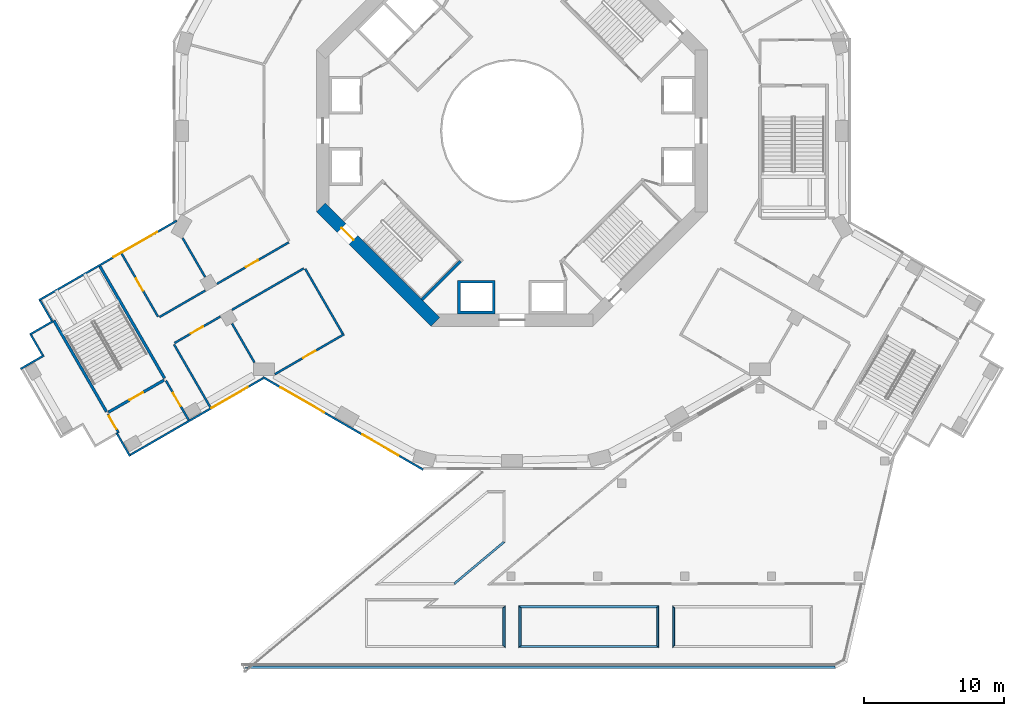
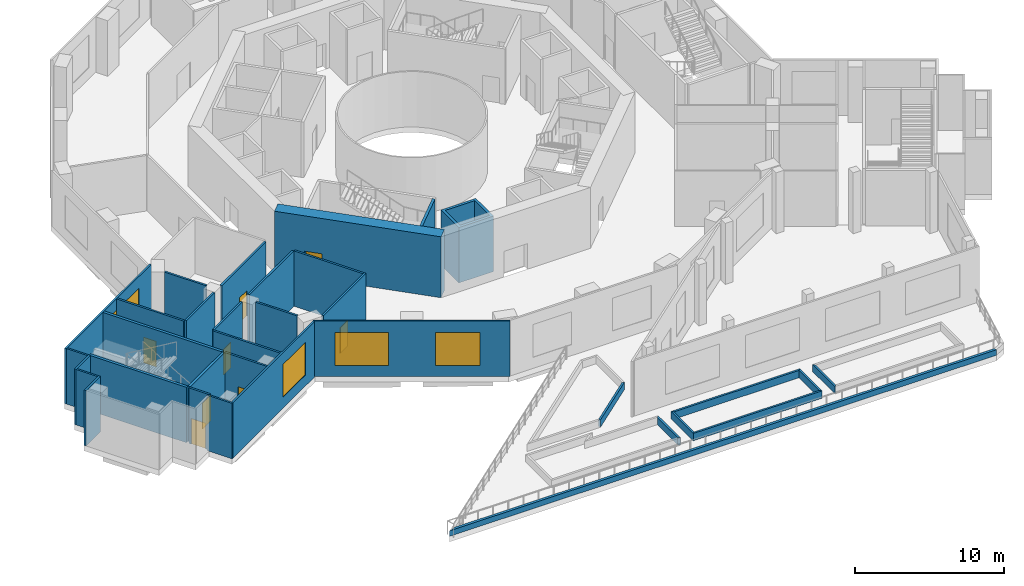
# One storey, part 3 of 24: 34 walls, 8 doors, 4 windows, 12 openings.
"""IFC4 building model written with IfcOpenShell, lengths in metres."""

from ifc_helpers import new_model, si_unit, direction, frame, frame_2d, origin, place, context, subcontext, project, spatial, polyline, rectangle, outline, extrude, material, layer, layer_set, type_object, element, fill, save


model = new_model("IFC4")

# Units and contexts
model_context = context("Model", 3, precision=1e-05, world=origin(), true_north=direction((0.0, 1.0)))
body_context = subcontext(model_context, "Body", "Model", "MODEL_VIEW")
ifc_project = project(units=[si_unit("LENGTHUNIT", "METRE"), si_unit("AREAUNIT", "SQUARE_METRE"), si_unit("VOLUMEUNIT", "CUBIC_METRE"), si_unit("PLANEANGLEUNIT", "RADIAN"), si_unit("MASSUNIT", "GRAM", prefix="KILO")], contexts=[model_context])

# Site, building, storey
site_placement = place(None, origin())
site = spatial("IfcSite", under=ifc_project, at=site_placement, CompositionType="ELEMENT")
building_placement = place(site_placement, origin())
building = spatial("IfcBuilding", under=site, at=building_placement, Name="Verdalira Terraces Hotel", CompositionType="ELEMENT")
storey_placement = place(building_placement, frame((0.0, 0.0, 14.0)))
storey = spatial("IfcBuildingStorey", under=building, at=storey_placement, Name="L02", CompositionType="ELEMENT", Elevation=14.0)

# Walls
ifc_material_1 = material(Name="Concrete C50", Category="concrete")
ifc_layer_1 = layer(ifc_material_1, 0.199951171875)
ifc_layer_set_1 = layer_set([ifc_layer_1], Name="Core RC wall 200 C50")
wall_type_1 = type_object("IfcWallType", Name="Core RC wall 200 C50", PredefinedType="SOLIDWALL", material=ifc_layer_set_1)
wall_1_placement = place(storey_placement, origin())
element("IfcWall", 1, at=wall_1_placement, inside=storey, type_object=wall_type_1, Name="L02 shaft wall S1", PredefinedType="SOLIDWALL", context=body_context, shape_type="SweptSolid", body=[
    extrude(outline(polyline([(-1.199951, -13.100098), (-3.899902, -13.100098), (-3.899902, -10.699951), (-1.199951, -10.699951), (-1.199951, -13.100098)]), holes=[polyline([(-3.699951, -10.899902), (-3.699951, -12.899902), (-1.399902, -12.899902), (-1.399902, -10.899902), (-3.699951, -10.899902)])]), origin(), (0.0, 0.0, 1.0), 4.550049),
])
wall_2_placement = place(storey_placement, frame((-3.677002, -9.33374, 0.0), z_axis=(0.0, 0.0, 1.0), x_axis=(-0.707106781, -0.707106781, 0.0)))
element("IfcWall", 2, at=wall_2_placement, inside=storey, type_object=wall_type_1, Name="L02 stair ST2 end wall 2", PredefinedType="SOLIDWALL", context=body_context, shape_type="SweptSolid", body=[
    extrude(rectangle(XDim=3.900146, YDim=0.199951, at=frame_2d((1.950195, 0.0))), origin(), (0.0, 0.0, 1.0), 4.550049),
])

# Wall, opening, door
ifc_material_2 = material(Name="Concrete C70", Category="concrete")
ifc_layer_2 = layer(ifc_material_2, 0.89990234375)
ifc_layer_set_2 = layer_set([ifc_layer_2], Name="Core wall 900 C70")
wall_type_2 = type_object("IfcWallType", Name="Core wall 900 C70", PredefinedType="SHEAR", material=ifc_layer_set_2)
wall_3_placement = place(storey_placement, frame((-13.681885, -5.480713, 0.0), z_axis=(0.0, 0.0, 1.0), x_axis=(0.707106781, -0.707106781, 0.0)))
wall_3 = element("IfcWall", 3, at=wall_3_placement, inside=storey, type_object=wall_type_2, Name="Core wall CW-L02-6", PredefinedType="SHEAR", context=body_context, shape_type="SweptSolid", body=[
    extrude(rectangle(XDim=11.598145, YDim=0.899902, at=frame_2d((5.799072, 0.0))), origin(), (0.0, 0.0, 1.0), 5.0),
])
opening_1_placement = place(wall_3_placement, frame((2.099121, 0.0, 0.0)))
opening_1 = element("IfcOpeningElement", 4, at=opening_1_placement, cuts=wall_3, Name="Opening L02-817", PredefinedType="OPENING", context=body_context, shape_type="SweptSolid", body=[
    extrude(rectangle(XDim=1.199951, YDim=2.100098, at=frame_2d((0.600098, 1.050049))), frame((0.0, 0.459961, 0.0), z_axis=(0.0, -1.0, 0.0), x_axis=(1.0, 0.0, 0.0)), (0.0, 0.0, 1.0), 0.919922),
])
ifc_material_3 = material(Name="Steel fire door", Category="steel")
door_type_1 = type_object("IfcDoorType", Name="Stair door 1200 x 2100", OperationType="NOTDEFINED", PredefinedType="DOOR", material=ifc_material_3)
door_1_placement = place(opening_1_placement, origin())
door_1 = element("IfcDoor", 5, at=door_1_placement, inside=storey, type_object=door_type_1, Name="Stair exit door ST2 L02", OperationType="SINGLE_SWING_LEFT", OverallHeight=2.10009765625, OverallWidth=1.199951171875, PredefinedType="DOOR", context=body_context, shape_type="SweptSolid", body=[
    extrude(rectangle(XDim=1.199951, YDim=2.100098, at=frame_2d((0.600098, 1.050049))), frame((0.0, 0.024902, 0.0), z_axis=(0.0, -1.0, 0.0), x_axis=(1.0, 0.0, 0.0)), (0.0, 0.0, 1.0), 0.050049),
])
fill(opening_1, door_1)

ifc_material_4 = material(Name="Gypsum board partition on steel stud", Category="steel")
ifc_layer_3 = layer(ifc_material_4, 0.14990234375)
ifc_layer_set_3 = layer_set([ifc_layer_3], Name="Fire-rated partition 150 mm")
wall_type_3 = type_object("IfcWallType", Name="Fire-rated partition 150 mm", PredefinedType="PARTITIONING", material=ifc_layer_set_3)
wall_4_placement = place(storey_placement, frame((-28.161621, -21.622803, 0.0), z_axis=(0.0, 0.0, 1.0), x_axis=(-0.499877454, 0.866096144, 0.0)))
wall_4 = element("IfcWall", 6, at=wall_4_placement, inside=storey, type_object=wall_type_3, Name="Partition", PredefinedType="PARTITIONING", context=body_context, shape_type="SweptSolid", body=[
    extrude(rectangle(XDim=1.54541, YDim=0.149902, at=frame_2d((0.772705, 0.0))), origin(), (0.0, 0.0, 1.0), 4.550049),
])
opening_2_placement = place(wall_4_placement, frame((0.29541, 0.0, 0.0)))
opening_2 = element("IfcOpeningElement", 7, at=opening_2_placement, cuts=wall_4, Name="Opening L02-D01", PredefinedType="OPENING", context=body_context, shape_type="SweptSolid", body=[
    extrude(rectangle(XDim=1.100098, YDim=2.100098, at=frame_2d((0.550049, 1.050049))), frame((0.0, 0.084961, 0.0), z_axis=(0.0, -1.0, 0.0), x_axis=(1.0, 0.0, 0.0)), (0.0, 0.0, 1.0), 0.169922),
])
ifc_material_5 = material(Name="Steel fire door", Category="steel")
door_type_2 = type_object("IfcDoorType", Name="Stair door 1100 x 2100", OperationType="SINGLE_SWING_LEFT", PredefinedType="DOOR", material=ifc_material_5)
door_2_placement = place(opening_2_placement, origin())
door_2 = element("IfcDoor", 8, at=door_2_placement, inside=storey, type_object=door_type_2, Name="Stair door Stair vestibule PS2", OperationType="SINGLE_SWING_LEFT", OverallHeight=2.10009765625, OverallWidth=1.10009765625, PredefinedType="DOOR", context=body_context, shape_type="SweptSolid", body=[
    extrude(rectangle(XDim=1.100098, YDim=2.100098, at=frame_2d((0.550049, 1.050049))), frame((0.0, 0.024902, 0.0), z_axis=(0.0, -1.0, 0.0), x_axis=(1.0, 0.0, 0.0)), (0.0, 0.0, 1.0), 0.050049),
])
fill(opening_2, door_2)

wall_5_placement = place(storey_placement, frame((-27.948242, -8.791992, 0.0), z_axis=(0.0, 0.0, 1.0), x_axis=(0.499979347, -0.866037328, 0.0)))
wall_5 = element("IfcWall", 9, at=wall_5_placement, inside=storey, type_object=wall_type_3, Name="Partition", PredefinedType="PARTITIONING", context=body_context, shape_type="SweptSolid", body=[
    extrude(rectangle(XDim=5.210205, YDim=0.149902, at=frame_2d((2.60498, 0.0))), origin(), (0.0, 0.0, 1.0), 4.550049),
])
opening_3_placement = place(wall_5_placement, frame((2.060059, 0.0, 0.0)))
opening_3 = element("IfcOpeningElement", 10, at=opening_3_placement, cuts=wall_5, Name="Opening L02-D03", PredefinedType="OPENING", context=body_context, shape_type="SweptSolid", body=[
    extrude(rectangle(XDim=1.0, YDim=2.100098, at=frame_2d((0.5, 1.050049))), frame((0.0, 0.084961, 0.0), z_axis=(0.0, -1.0, 0.0), x_axis=(1.0, 0.0, 0.0)), (0.0, 0.0, 1.0), 0.169922),
])
ifc_material_6 = material(Name="Steel fire door", Category="steel")
door_type_3 = type_object("IfcDoorType", Name="Fire door 1000 x 2100", OperationType="SINGLE_SWING_LEFT", PredefinedType="DOOR", material=ifc_material_6)
door_3_placement = place(opening_3_placement, origin())
door_3 = element("IfcDoor", 11, at=door_3_placement, inside=storey, type_object=door_type_3, Name="Meeting room 210 door", OperationType="SINGLE_SWING_LEFT", OverallHeight=2.10009765625, OverallWidth=1.0, PredefinedType="DOOR", context=body_context, shape_type="SweptSolid", body=[
    extrude(rectangle(XDim=1.0, YDim=2.100098, at=frame_2d((0.5, 1.050049))), frame((0.0, 0.024902, 0.0), z_axis=(0.0, -1.0, 0.0), x_axis=(1.0, 0.0, 0.0)), (0.0, 0.0, 1.0), 0.050049),
])
fill(opening_3, door_3)

# Wall
wall_6_placement = place(storey_placement, frame((-23.582275, -7.674561, 0.0), z_axis=(0.0, 0.0, 1.0), x_axis=(0.500027049, -0.866009787, 0.0)))
element("IfcWall", 12, at=wall_6_placement, inside=storey, type_object=wall_type_3, Name="Partition", PredefinedType="PARTITIONING", context=body_context, shape_type="SweptSolid", body=[
    extrude(rectangle(XDim=3.2146, YDim=0.149902, at=frame_2d((1.607422, 0.0))), origin(), (0.0, 0.0, 1.0), 4.550049),
])

# Wall, opening, door
wall_7_placement = place(storey_placement, frame((-20.886475, -13.300049, 0.0), z_axis=(0.0, 0.0, 1.0), x_axis=(-0.866012734, -0.500021944, 0.0)))
wall_7 = element("IfcWall", 13, at=wall_7_placement, inside=storey, type_object=wall_type_3, Name="Partition", PredefinedType="PARTITIONING", context=body_context, shape_type="SweptSolid", body=[
    extrude(rectangle(XDim=3.786865, YDim=0.149902, at=frame_2d((1.893555, 0.0))), origin(), (0.0, 0.0, 1.0), 4.550049),
])
opening_4_placement = place(wall_7_placement, frame((1.436768, 0.0, 0.0)))
opening_4 = element("IfcOpeningElement", 14, at=opening_4_placement, cuts=wall_7, Name="Opening L02-D04", PredefinedType="OPENING", context=body_context, shape_type="SweptSolid", body=[
    extrude(rectangle(XDim=1.0, YDim=2.100098, at=frame_2d((0.5, 1.050049))), frame((0.0, 0.084961, 0.0), z_axis=(0.0, -1.0, 0.0), x_axis=(1.0, 0.0, 0.0)), (0.0, 0.0, 1.0), 0.169922),
])
door_4_placement = place(opening_4_placement, origin())
door_4 = element("IfcDoor", 15, at=door_4_placement, inside=storey, type_object=door_type_3, Name="Meeting room 208 door", OperationType="SINGLE_SWING_RIGHT", OverallHeight=2.10009765625, OverallWidth=1.0, PredefinedType="DOOR", context=body_context, shape_type="SweptSolid", body=[
    extrude(rectangle(XDim=1.0, YDim=2.100098, at=frame_2d((0.5, 1.050049))), frame((0.0, 0.024902, 0.0), z_axis=(0.0, -1.0, 0.0), x_axis=(1.0, 0.0, 0.0)), (0.0, 0.0, 1.0), 0.050049),
])
fill(opening_4, door_4)

# Wall
wall_8_placement = place(storey_placement, frame((-20.055176, -12.820068, 0.0), z_axis=(0.0, 0.0, 1.0), x_axis=(0.866038559, 0.499977214, 0.0)))
element("IfcWall", 16, at=wall_8_placement, inside=storey, type_object=wall_type_3, Name="Partition", PredefinedType="PARTITIONING", context=body_context, shape_type="SweptSolid", body=[
    extrude(rectangle(XDim=5.945068, YDim=0.149902, at=frame_2d((2.972656, 0.0))), origin(), (0.0, 0.0, 1.0), 4.550049),
])

# Wall, opening, door
wall_9_placement = place(storey_placement, frame((-24.777344, -17.884521, 0.0), z_axis=(0.0, 0.0, 1.0), x_axis=(0.499996863, -0.866027215, 0.0)))
wall_9 = element("IfcWall", 17, at=wall_9_placement, inside=storey, type_object=wall_type_3, Name="Partition", PredefinedType="PARTITIONING", context=body_context, shape_type="SweptSolid", body=[
    extrude(rectangle(XDim=3.260254, YDim=0.149902, at=frame_2d((1.630127, 0.0))), origin(), (0.0, 0.0, 1.0), 4.550049),
])
opening_5_placement = place(wall_9_placement, frame((1.010254, 0.0, 0.0)))
opening_5 = element("IfcOpeningElement", 18, at=opening_5_placement, cuts=wall_9, Name="Opening L02-D05", PredefinedType="OPENING", context=body_context, shape_type="SweptSolid", body=[
    extrude(rectangle(XDim=1.100098, YDim=2.100098, at=frame_2d((0.550049, 1.050049))), frame((0.0, 0.084961, 0.0), z_axis=(0.0, -1.0, 0.0), x_axis=(1.0, 0.0, 0.0)), (0.0, 0.0, 1.0), 0.169922),
])
door_5_placement = place(opening_5_placement, origin())
door_5 = element("IfcDoor", 19, at=door_5_placement, inside=storey, type_object=door_type_2, Name="Stair door Stair approach corridor", OperationType="SINGLE_SWING_LEFT", OverallHeight=2.10009765625, OverallWidth=1.10009765625, PredefinedType="DOOR", context=body_context, shape_type="SweptSolid", body=[
    extrude(rectangle(XDim=1.100098, YDim=2.100098, at=frame_2d((0.550049, 1.050049))), frame((0.0, 0.024902, 0.0), z_axis=(0.0, -1.0, 0.0), x_axis=(1.0, 0.0, 0.0)), (0.0, 0.0, 1.0), 0.050049),
])
fill(opening_5, door_5)

# Walls
wall_10_placement = place(storey_placement, frame((-21.588379, -19.807861, 0.0), z_axis=(0.0, 0.0, 1.0), x_axis=(-0.499999637, 0.866025613, 0.0)))
element("IfcWall", 20, at=wall_10_placement, inside=storey, type_object=wall_type_3, Name="Partition", PredefinedType="PARTITIONING", context=body_context, shape_type="SweptSolid", body=[
    extrude(rectangle(XDim=5.209961, YDim=0.149902, at=frame_2d((2.60498, 0.0))), origin(), (0.0, 0.0, 1.0), 4.550049),
])
wall_11_placement = place(storey_placement, frame((-20.044922, -13.801514, 0.0), z_axis=(0.0, 0.0, 1.0), x_axis=(0.500027049, -0.866009787, 0.0)))
element("IfcWall", 21, at=wall_11_placement, inside=storey, type_object=wall_type_3, Name="Partition", PredefinedType="PARTITIONING", context=body_context, shape_type="SweptSolid", body=[
    extrude(rectangle(XDim=3.2146, YDim=0.149902, at=frame_2d((1.607422, 0.0))), origin(), (0.0, 0.0, 1.0), 4.550049),
])

# Wall, opening, door
wall_12_placement = place(storey_placement, frame((-16.978271, -17.423584, 0.0), z_axis=(0.0, 0.0, 1.0), x_axis=(0.866011812, 0.500023541, 0.0)))
wall_12 = element("IfcWall", 22, at=wall_12_placement, inside=storey, type_object=wall_type_3, Name="Partition", PredefinedType="PARTITIONING", context=body_context, shape_type="SweptSolid", body=[
    extrude(rectangle(XDim=5.732178, YDim=0.149902, at=frame_2d((2.866211, 0.0))), origin(), (0.0, 0.0, 1.0), 4.550049),
])
opening_6_placement = place(wall_12_placement, frame((2.350098, 0.0, 0.0)))
opening_6 = element("IfcOpeningElement", 23, at=opening_6_placement, cuts=wall_12, Name="Opening L02-D08", PredefinedType="OPENING", context=body_context, shape_type="SweptSolid", body=[
    extrude(rectangle(XDim=1.0, YDim=2.100098, at=frame_2d((0.5, 1.050049))), frame((0.0, 0.084961, 0.0), z_axis=(0.0, -1.0, 0.0), x_axis=(1.0, 0.0, 0.0)), (0.0, 0.0, 1.0), 0.169922),
])
door_6_placement = place(opening_6_placement, origin())
door_6 = element("IfcDoor", 24, at=door_6_placement, inside=storey, type_object=door_type_3, Name="Meeting room 207 door", OperationType="SINGLE_SWING_RIGHT", OverallHeight=2.10009765625, OverallWidth=1.0, PredefinedType="DOOR", context=body_context, shape_type="SweptSolid", body=[
    extrude(rectangle(XDim=1.0, YDim=2.100098, at=frame_2d((0.5, 1.050049))), frame((0.0, 0.024902, 0.0), z_axis=(0.0, -1.0, 0.0), x_axis=(1.0, 0.0, 0.0)), (0.0, 0.0, 1.0), 0.050049),
])
fill(opening_6, door_6)

# Wall
wall_13_placement = place(storey_placement, frame((-21.961426, -11.438232, 0.0), z_axis=(0.0, 0.0, 1.0), x_axis=(-0.866040651, -0.499973591, 0.0)))
element("IfcWall", 25, at=wall_13_placement, inside=storey, type_object=wall_type_3, Name="Partition", PredefinedType="PARTITIONING", context=body_context, shape_type="SweptSolid", body=[
    extrude(rectangle(XDim=3.786865, YDim=0.149902, at=frame_2d((1.893555, 0.0))), origin(), (0.0, 0.0, 1.0), 4.550049),
])

# Wall, opening, door
wall_14_placement = place(storey_placement, frame((-21.130127, -10.958252, 0.0), z_axis=(0.0, 0.0, 1.0), x_axis=(0.86601051, 0.500025795, 0.0)))
wall_14 = element("IfcWall", 26, at=wall_14_placement, inside=storey, type_object=wall_type_3, Name="Partition", PredefinedType="PARTITIONING", context=body_context, shape_type="SweptSolid", body=[
    extrude(rectangle(XDim=5.945068, YDim=0.149902, at=frame_2d((2.972656, 0.0))), origin(), (0.0, 0.0, 1.0), 4.550049),
])
opening_7_placement = place(wall_14_placement, frame((2.39502, 0.0, 0.0)))
opening_7 = element("IfcOpeningElement", 27, at=opening_7_placement, cuts=wall_14, Name="Opening L02-D09", PredefinedType="OPENING", context=body_context, shape_type="SweptSolid", body=[
    extrude(rectangle(XDim=1.0, YDim=2.100098, at=frame_2d((0.5, 1.050049))), frame((0.0, 0.084961, 0.0), z_axis=(0.0, -1.0, 0.0), x_axis=(1.0, 0.0, 0.0)), (0.0, 0.0, 1.0), 0.169922),
])
door_7_placement = place(opening_7_placement, origin())
door_7 = element("IfcDoor", 28, at=door_7_placement, inside=storey, type_object=door_type_3, Name="Meeting room 209 door", OperationType="SINGLE_SWING_LEFT", OverallHeight=2.10009765625, OverallWidth=1.0, PredefinedType="DOOR", context=body_context, shape_type="SweptSolid", body=[
    extrude(rectangle(XDim=1.0, YDim=2.100098, at=frame_2d((0.5, 1.050049))), frame((0.0, 0.024902, 0.0), z_axis=(0.0, -1.0, 0.0), x_axis=(1.0, 0.0, 0.0)), (0.0, 0.0, 1.0), 0.050049),
])
fill(opening_7, door_7)

# Walls
wall_15_placement = place(storey_placement, frame((-12.116699, -14.530029, 0.0), z_axis=(0.0, 0.0, 1.0), x_axis=(-0.4999885, 0.866032043, 0.0)))
element("IfcWall", 29, at=wall_15_placement, inside=storey, type_object=wall_type_3, Name="Partition", PredefinedType="PARTITIONING", context=body_context, shape_type="SweptSolid", body=[
    extrude(rectangle(XDim=5.375244, YDim=0.149902, at=frame_2d((2.6875, 0.0))), origin(), (0.0, 0.0, 1.0), 4.550049),
])
ifc_material_7 = material(Name="Concrete C50", Category="concrete")
ifc_layer_4 = layer(ifc_material_7, 0.199951171875)
ifc_layer_set_4 = layer_set([ifc_layer_4], Name="Stair enclosure wall 200 mm")
wall_type_4 = type_object("IfcWallType", Name="Stair enclosure wall 200 mm", PredefinedType="SOLIDWALL", material=ifc_layer_set_4)
wall_16_placement = place(storey_placement, frame((-32.806641, -13.577148, 0.0), z_axis=(0.0, 0.0, 1.0), x_axis=(0.50000534, -0.866022321, 0.0)))
element("IfcWall", 30, at=wall_16_placement, inside=storey, type_object=wall_type_4, Name="Stair enclosure wall", PredefinedType="SOLIDWALL", context=body_context, shape_type="SweptSolid", body=[
    extrude(rectangle(XDim=7.54541, YDim=0.199951, at=frame_2d((3.772705, 0.0))), origin(), (0.0, 0.0, 1.0), 4.550049),
])

# Wall, opening, door
wall_17_placement = place(storey_placement, frame((-24.913818, -17.848145, 0.0), z_axis=(0.0, 0.0, 1.0), x_axis=(-0.86601677, -0.500014953, 0.0)))
wall_17 = element("IfcWall", 31, at=wall_17_placement, inside=storey, type_object=wall_type_4, Name="Stair enclosure wall", PredefinedType="SOLIDWALL", context=body_context, shape_type="SweptSolid", body=[
    extrude(rectangle(XDim=4.599854, YDim=0.199951, at=frame_2d((2.299805, 0.0))), origin(), (0.0, 0.0, 1.0), 4.550049),
])
opening_8_placement = place(wall_17_placement, frame((1.75, 0.0, 0.0)))
opening_8 = element("IfcOpeningElement", 32, at=opening_8_placement, cuts=wall_17, Name="Opening L02-D02", PredefinedType="OPENING", context=body_context, shape_type="SweptSolid", body=[
    extrude(rectangle(XDim=1.100098, YDim=2.100098, at=frame_2d((0.550049, 1.050049))), frame((0.0, 0.109863, 0.0), z_axis=(0.0, -1.0, 0.0), x_axis=(1.0, 0.0, 0.0)), (0.0, 0.0, 1.0), 0.219971),
])
door_8_placement = place(opening_8_placement, origin())
door_8 = element("IfcDoor", 33, at=door_8_placement, inside=storey, type_object=door_type_2, Name="Stair door Stair lobby PS2", OperationType="SINGLE_SWING_RIGHT", OverallHeight=2.10009765625, OverallWidth=1.10009765625, PredefinedType="DOOR", context=body_context, shape_type="SweptSolid", body=[
    extrude(rectangle(XDim=1.100098, YDim=2.100098, at=frame_2d((0.550049, 1.050049))), frame((0.0, 0.024902, 0.0), z_axis=(0.0, -1.0, 0.0), x_axis=(1.0, 0.0, 0.0)), (0.0, 0.0, 1.0), 0.050049),
])
fill(opening_8, door_8)

# Walls
wall_18_placement = place(storey_placement, frame((-24.877197, -17.71167, 0.0), z_axis=(0.0, 0.0, 1.0), x_axis=(-0.499984148, 0.866034555, 0.0)))
element("IfcWall", 34, at=wall_18_placement, inside=storey, type_object=wall_type_4, Name="Stair enclosure wall", PredefinedType="SOLIDWALL", context=body_context, shape_type="SweptSolid", body=[
    extrude(rectangle(XDim=9.26001, YDim=0.199951, at=frame_2d((4.629883, 0.0))), origin(), (0.0, 0.0, 1.0), 4.550049),
])
ifc_material_8 = material(Name="Concrete C40", Category="concrete")
ifc_layer_5 = layer(ifc_material_8, 0.14990234375)
ifc_layer_set_5 = layer_set([ifc_layer_5], Name="Terrace planter trough 150 x 600")
wall_type_5 = type_object("IfcWallType", Name="Terrace planter trough 150 x 600", PredefinedType="SOLIDWALL", material=ifc_layer_set_5)
wall_19_placement = place(storey_placement, origin())
element("IfcWall", 35, at=wall_19_placement, inside=storey, type_object=wall_type_5, Name="Terrace planting bed trough", PredefinedType="SOLIDWALL", context=body_context, shape_type="SweptSolid", body=[
    extrude(outline(polyline([(11.5, -34.0), (11.5, -37.0), (11.649902, -36.850098), (11.649902, -34.149902), (11.5, -34.0)])), origin(), (0.0, 0.0, 1.0), 0.600098),
])
wall_20_placement = place(storey_placement, origin())
element("IfcWall", 36, at=wall_20_placement, inside=storey, type_object=wall_type_5, Name="Terrace planting bed trough", PredefinedType="SOLIDWALL", context=body_context, shape_type="SweptSolid", body=[
    extrude(outline(polyline([(0.5, -37.0), (10.5, -37.0), (10.350098, -36.850098), (0.649902, -36.850098), (0.5, -37.0)])), origin(), (0.0, 0.0, 1.0), 0.600098),
])
wall_21_placement = place(storey_placement, origin())
element("IfcWall", 37, at=wall_21_placement, inside=storey, type_object=wall_type_5, Name="Terrace planting bed trough", PredefinedType="SOLIDWALL", context=body_context, shape_type="SweptSolid", body=[
    extrude(outline(polyline([(10.5, -37.0), (10.5, -34.0), (10.350098, -34.149902), (10.350098, -36.850098), (10.5, -37.0)])), origin(), (0.0, 0.0, 1.0), 0.600098),
])
wall_22_placement = place(storey_placement, origin())
element("IfcWall", 38, at=wall_22_placement, inside=storey, type_object=wall_type_5, Name="Terrace planting bed trough", PredefinedType="SOLIDWALL", context=body_context, shape_type="SweptSolid", body=[
    extrude(outline(polyline([(10.5, -34.0), (0.5, -34.0), (0.649902, -34.149902), (10.350098, -34.149902), (10.5, -34.0)])), origin(), (0.0, 0.0, 1.0), 0.600098),
])
wall_23_placement = place(storey_placement, origin())
element("IfcWall", 39, at=wall_23_placement, inside=storey, type_object=wall_type_5, Name="Terrace planting bed trough", PredefinedType="SOLIDWALL", context=body_context, shape_type="SweptSolid", body=[
    extrude(outline(polyline([(0.5, -34.0), (0.5, -37.0), (0.649902, -36.850098), (0.649902, -34.149902), (0.5, -34.0)])), origin(), (0.0, 0.0, 1.0), 0.600098),
])
wall_24_placement = place(storey_placement, origin())
element("IfcWall", 40, at=wall_24_placement, inside=storey, type_object=wall_type_5, Name="Terrace planting bed trough", PredefinedType="SOLIDWALL", context=body_context, shape_type="SweptSolid", body=[
    extrude(outline(polyline([(-0.5, -37.0), (-0.5, -34.0), (-0.649902, -34.149902), (-0.649902, -36.850098), (-0.5, -37.0)])), origin(), (0.0, 0.0, 1.0), 0.600098),
])
wall_25_placement = place(storey_placement, origin())
element("IfcWall", 41, at=wall_25_placement, inside=storey, type_object=wall_type_5, Name="Terrace planting bed trough", PredefinedType="SOLIDWALL", context=body_context, shape_type="SweptSolid", body=[
    extrude(outline(polyline([(-4.105957, -32.5), (-0.5, -29.474121), (-0.649902, -29.404297), (-4.160645, -32.350098), (-4.105957, -32.5)])), origin(), (0.0, 0.0, 1.0), 0.600098),
])
ifc_material_9 = material(Name="Concrete C40", Category="concrete")
ifc_layer_6 = layer(ifc_material_9, 0.199951171875)
ifc_layer_set_6 = layer_set([ifc_layer_6], Name="Terrace upstand 200 x 450")
wall_type_6 = type_object("IfcWallType", Name="Terrace upstand 200 x 450", PredefinedType="SOLIDWALL", material=ifc_layer_set_6)
wall_26_placement = place(storey_placement, origin())
element("IfcWall", 42, at=wall_26_placement, inside=storey, type_object=wall_type_6, Name="Terrace upstand", PredefinedType="SOLIDWALL", context=body_context, shape_type="SweptSolid", body=[
    extrude(outline(polyline([(-18.730957, -38.300049), (-19.280518, -38.5), (23.162598, -38.5), (23.11377, -38.300049), (-18.730957, -38.300049)])), origin(), (0.0, 0.0, 1.0), 0.449951),
])

# Wall, opening, window
ifc_material_10 = material(Name="Concrete C40", Category="concrete")
ifc_layer_7 = layer(ifc_material_10, 0.139892578125)
ifc_layer_set_7 = layer_set([ifc_layer_7], Name="Terracotta clad concrete wall C40 140 mm")
wall_type_7 = type_object("IfcWallType", Name="Terracotta clad concrete wall C40 140 mm", PredefinedType="SOLIDWALL", material=ifc_layer_set_7)
wall_27_placement = place(storey_placement, frame((-23.995361, -6.428955, 0.0), z_axis=(0.0, 0.0, 1.0), x_axis=(-0.866018753, -0.500011519, 0.0)))
wall_27 = element("IfcWall", 43, at=wall_27_placement, inside=storey, type_object=wall_type_7, Name="Podium facade wall", PredefinedType="SOLIDWALL", context=body_context, shape_type="SweptSolid", body=[
    extrude(rectangle(XDim=11.405029, YDim=0.139893, at=frame_2d((5.702637, 0.0))), origin(), (0.0, 0.0, 1.0), 4.550049),
])
opening_9_placement = place(wall_27_placement, frame((1.623047, 0.0, 0.899902)))
opening_9 = element("IfcOpeningElement", 44, at=opening_9_placement, cuts=wall_27, Name="Opening WP", PredefinedType="OPENING", context=body_context, shape_type="SweptSolid", body=[
    extrude(rectangle(XDim=3.600098, YDim=2.699951, at=frame_2d((1.800049, 1.350098))), frame((0.0, 0.079834, 0.0), z_axis=(0.0, -1.0, 0.0), x_axis=(1.0, 0.0, 0.0)), (0.0, 0.0, 1.0), 0.159912),
])
ifc_material_11 = material(Name="Clear double glazing in aluminium frame", Category="aluminium")
window_type_1 = type_object("IfcWindowType", Name="Podium window 3600 x 2700", PartitioningType="SINGLE_PANEL", PredefinedType="WINDOW", material=ifc_material_11)
window_1_placement = place(opening_9_placement, origin())
window_1 = element("IfcWindow", 45, at=window_1_placement, inside=storey, type_object=window_type_1, Name="Podium window", OverallHeight=2.699951171875, OverallWidth=3.60009765625, PartitioningType="SINGLE_PANEL", PredefinedType="WINDOW", context=body_context, shape_type="SweptSolid", body=[
    extrude(rectangle(XDim=3.600098, YDim=2.699951, at=frame_2d((1.800049, 1.350098))), frame((0.0, 0.030029, 0.0), z_axis=(0.0, -1.0, 0.0), x_axis=(1.0, 0.0, 0.0)), (0.0, 0.0, 1.0), 0.060059),
])
fill(opening_9, window_1)

# Walls
wall_28_placement = place(storey_placement, frame((-33.776611, -12.156982, 0.0), z_axis=(0.0, 0.0, 1.0), x_axis=(0.499887958, -0.866090081, 0.0)))
element("IfcWall", 46, at=wall_28_placement, inside=storey, type_object=wall_type_7, Name="Podium facade wall", PredefinedType="SOLIDWALL", context=body_context, shape_type="SweptSolid", body=[
    extrude(rectangle(XDim=1.660156, YDim=0.139893, at=frame_2d((0.830078, 0.0))), origin(), (0.0, 0.0, 1.0), 4.550049),
])
wall_29_placement = place(storey_placement, frame((-32.851074, -13.620361, 0.0), z_axis=(0.0, 0.0, 1.0), x_axis=(-0.866011627, -0.500023862, 0.0)))
element("IfcWall", 47, at=wall_29_placement, inside=storey, type_object=wall_type_7, Name="Podium facade wall", PredefinedType="SOLIDWALL", context=body_context, shape_type="SweptSolid", body=[
    extrude(rectangle(XDim=1.939941, YDim=0.139893, at=frame_2d((0.969971, 0.0))), origin(), (0.0, 0.0, 1.0), 4.550049),
])
ifc_material_12 = material(Name="Terracotta cladding on steel stud backup", Category="masonry")
ifc_layer_8 = layer(ifc_material_12, 0.139892578125)
ifc_layer_set_8 = layer_set([ifc_layer_8], Name="Terracotta clad wall 140 mm")
wall_type_8 = type_object("IfcWallType", Name="Terracotta clad wall 140 mm", PredefinedType="SOLIDWALL", material=ifc_layer_set_8)
wall_30_placement = place(storey_placement, frame((-34.435547, -14.615967, 0.0), z_axis=(0.0, 0.0, 1.0), x_axis=(0.500061949, -0.865989634, 0.0)))
element("IfcWall", 48, at=wall_30_placement, inside=storey, type_object=wall_type_8, Name="Podium facade wall", PredefinedType="SOLIDWALL", context=body_context, shape_type="SweptSolid", body=[
    extrude(rectangle(XDim=1.659912, YDim=0.139893, at=frame_2d((0.830078, 0.0))), origin(), (0.0, 0.0, 1.0), 4.550049),
])
for number, where, z_axis, x_axis, name in (
    (49, (-33.51001, -16.079102, 0.0), (0.0, 0.0, 1.0), (-0.866011627, -0.500023862, 0.0), "Podium facade wall"),
    (50, (-28.31665, -21.614014, 0.0), (0.0, 0.0, 1.0), (0.499969368, -0.866043088, 0.0), "Podium facade wall"),
):
    element("IfcWall", number, at=place(storey_placement, frame(where, z_axis=z_axis, x_axis=x_axis)), inside=storey, type_object=wall_type_8, Name=name, PredefinedType="SOLIDWALL", context=body_context, shape_type="SweptSolid", body=[
        extrude(rectangle(XDim=1.939941, YDim=0.139893, at=frame_2d((0.969971, 0.0))), origin(), (0.0, 0.0, 1.0), 4.550049),
    ])

# Wall, opening, window
wall_31_placement = place(storey_placement, frame((-27.321045, -23.198486, 0.0), z_axis=(0.0, 0.0, 1.0), x_axis=(0.866030546, 0.499991093, 0.0)))
wall_31 = element("IfcWall", 51, at=wall_31_placement, inside=storey, type_object=wall_type_8, Name="Podium facade wall", PredefinedType="SOLIDWALL", context=body_context, shape_type="SweptSolid", body=[
    extrude(rectangle(XDim=10.961182, YDim=0.139893, at=frame_2d((5.480469, 0.0))), origin(), (0.0, 0.0, 1.0), 4.550049),
])
opening_10_placement = place(wall_31_placement, frame((6.702148, 0.0, 0.899902)))
opening_10 = element("IfcOpeningElement", 52, at=opening_10_placement, cuts=wall_31, Name="Opening WP", PredefinedType="OPENING", context=body_context, shape_type="SweptSolid", body=[
    extrude(rectangle(XDim=3.0, YDim=2.699951, at=frame_2d((1.5, 1.350098))), frame((0.0, 0.079834, 0.0), z_axis=(0.0, -1.0, 0.0), x_axis=(1.0, 0.0, 0.0)), (0.0, 0.0, 1.0), 0.159912),
])
ifc_material_13 = material(Name="Clear double glazing in aluminium frame", Category="aluminium")
window_type_2 = type_object("IfcWindowType", Name="Podium window 3000 x 2700", PartitioningType="SINGLE_PANEL", PredefinedType="WINDOW", material=ifc_material_13)
window_2_placement = place(opening_10_placement, origin())
window_2 = element("IfcWindow", 53, at=window_2_placement, inside=storey, type_object=window_type_2, Name="Podium window", OverallHeight=2.699951171875, OverallWidth=3.0, PartitioningType="SINGLE_PANEL", PredefinedType="WINDOW", context=body_context, shape_type="SweptSolid", body=[
    extrude(rectangle(XDim=3.0, YDim=2.699951, at=frame_2d((1.5, 1.350098))), frame((0.0, 0.030029, 0.0), z_axis=(0.0, -1.0, 0.0), x_axis=(1.0, 0.0, 0.0)), (0.0, 0.0, 1.0), 0.060059),
])
fill(opening_10, window_2)

# Wall, openings, windows
wall_32_placement = place(storey_placement, frame((-17.828369, -17.637207, 0.0), z_axis=(0.0, 0.0, 1.0), x_axis=(0.866029009, -0.499993756, 0.0)))
wall_32 = element("IfcWall", 54, at=wall_32_placement, inside=storey, type_object=wall_type_8, Name="Podium facade wall", PredefinedType="SOLIDWALL", context=body_context, shape_type="SweptSolid", body=[
    extrude(rectangle(XDim=13.242432, YDim=0.139893, at=frame_2d((6.621094, 0.0))), origin(), (0.0, 0.0, 1.0), 4.550049),
])
opening_11_placement = place(wall_32_placement, frame((1.460205, 0.0, 0.899902)))
opening_11 = element("IfcOpeningElement", 55, at=opening_11_placement, cuts=wall_32, Name="Opening WP", PredefinedType="OPENING", context=body_context, shape_type="SweptSolid", body=[
    extrude(rectangle(XDim=3.600098, YDim=2.699951, at=frame_2d((1.800049, 1.350098))), frame((0.0, 0.079834, 0.0), z_axis=(0.0, -1.0, 0.0), x_axis=(1.0, 0.0, 0.0)), (0.0, 0.0, 1.0), 0.159912),
])
opening_12_placement = place(wall_32_placement, frame((8.2146, 0.0, 0.899902)))
opening_12 = element("IfcOpeningElement", 56, at=opening_12_placement, cuts=wall_32, Name="Opening WP", PredefinedType="OPENING", context=body_context, shape_type="SweptSolid", body=[
    extrude(rectangle(XDim=3.0, YDim=2.699951, at=frame_2d((1.5, 1.350098))), frame((0.0, 0.079834, 0.0), z_axis=(0.0, -1.0, 0.0), x_axis=(1.0, 0.0, 0.0)), (0.0, 0.0, 1.0), 0.159912),
])
window_3_placement = place(opening_12_placement, origin())
window_3 = element("IfcWindow", 57, at=window_3_placement, inside=storey, type_object=window_type_2, Name="Podium window", OverallHeight=2.699951171875, OverallWidth=3.0, PartitioningType="SINGLE_PANEL", PredefinedType="WINDOW", context=body_context, shape_type="SweptSolid", body=[
    extrude(rectangle(XDim=3.0, YDim=2.699951, at=frame_2d((1.5, 1.350098))), frame((0.0, 0.030029, 0.0), z_axis=(0.0, -1.0, 0.0), x_axis=(1.0, 0.0, 0.0)), (0.0, 0.0, 1.0), 0.060059),
])
fill(opening_12, window_3)
window_4_placement = place(opening_11_placement, origin())
window_4 = element("IfcWindow", 58, at=window_4_placement, inside=storey, type_object=window_type_1, Name="Podium window", OverallHeight=2.699951171875, OverallWidth=3.60009765625, PartitioningType="SINGLE_PANEL", PredefinedType="WINDOW", context=body_context, shape_type="SweptSolid", body=[
    extrude(rectangle(XDim=3.600098, YDim=2.699951, at=frame_2d((1.800049, 1.350098))), frame((0.0, 0.030029, 0.0), z_axis=(0.0, -1.0, 0.0), x_axis=(1.0, 0.0, 0.0)), (0.0, 0.0, 1.0), 0.060059),
])
fill(opening_11, window_4)

save(model, "model.ifc")
